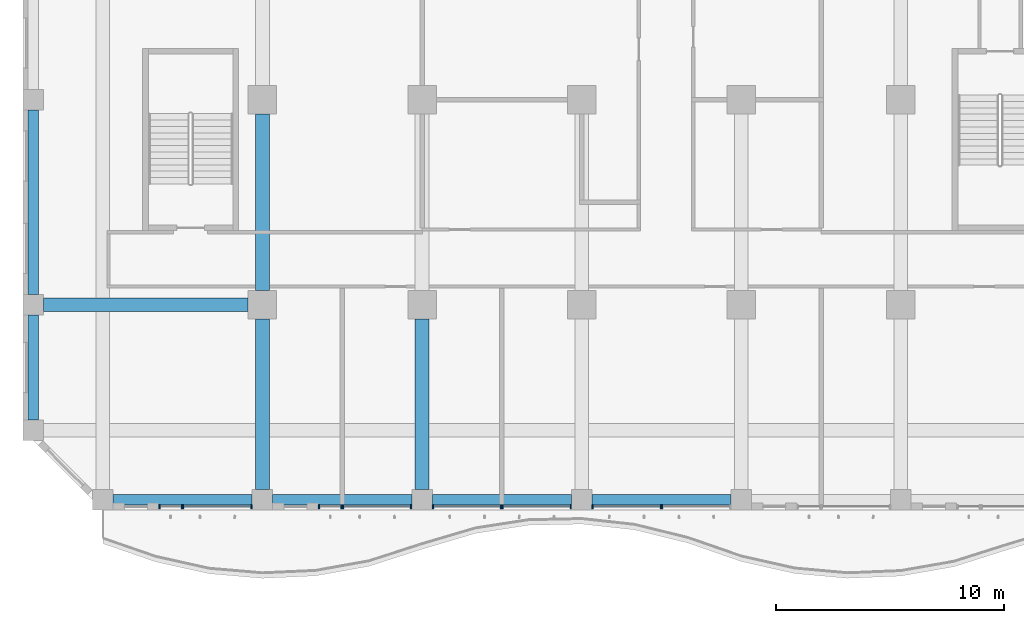
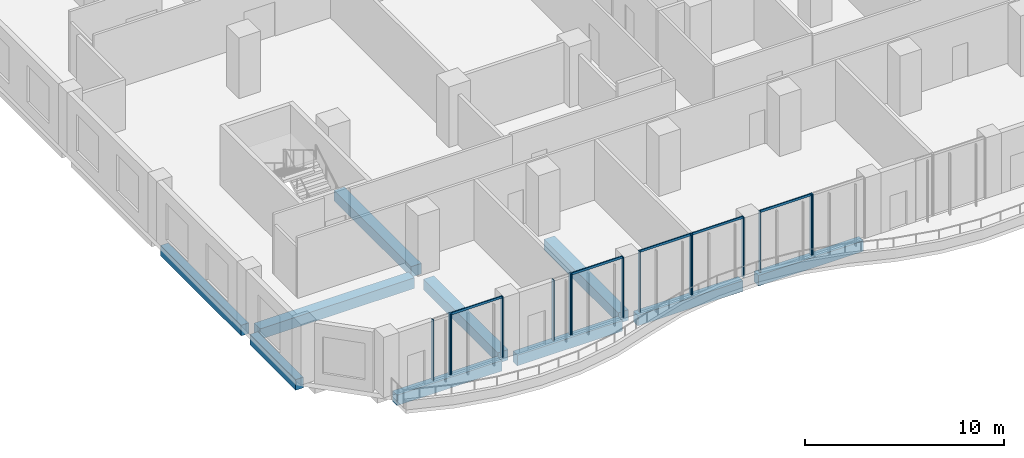
# One storey, part 2 of 28: 20 members, 10 beams, 8 elements without a shape of their own.
"""IFC4 building model written with IfcOpenShell, lengths in metres."""

from ifc_helpers import new_model, si_unit, direction, frame, origin, origin_2d, place, context, subcontext, project, spatial, rectangle, extrude, source, transform, mapped, material, material_profile, profile_set, type_object, element, aggregate, save


model = new_model("IFC4")

# Units and contexts
model_context = context("Model", 3, precision=1e-05, world=origin(), true_north=direction((0.0, 1.0)))
body_context = subcontext(model_context, "Body", "Model", "MODEL_VIEW")
ifc_project = project(units=[si_unit("LENGTHUNIT", "METRE"), si_unit("AREAUNIT", "SQUARE_METRE"), si_unit("VOLUMEUNIT", "CUBIC_METRE"), si_unit("PLANEANGLEUNIT", "RADIAN"), si_unit("MASSUNIT", "GRAM", prefix="KILO")], contexts=[model_context])

# Site, building, storey
site_placement = place(None, origin())
site = spatial("IfcSite", under=ifc_project, at=site_placement, CompositionType="ELEMENT")
building_placement = place(site_placement, origin())
building = spatial("IfcBuilding", under=site, at=building_placement, Name="Kilnfold Tower and Market Hall", CompositionType="ELEMENT")
storey_placement = place(building_placement, frame((0.0, 0.0, 75.199951171875)))
storey = spatial("IfcBuildingStorey", under=building, at=storey_placement, Name="L17", CompositionType="ELEMENT", Elevation=75.199951171875)

# Beams
ifc_material_1 = material(Name="Concrete C45", Category="concrete")
ifc_material_profile_1 = material_profile(ifc_material_1, rectangle(XDim=0.449951171875, YDim=0.64990234375, at=origin_2d()), Name="RC 450x650")
ifc_profile_set_1 = profile_set([ifc_material_profile_1], Name="Concrete C45")
beam_type_1 = type_object("IfcBeamType", Name="EDGE BEAM 450X650 C45", PredefinedType="BEAM", material=ifc_profile_set_1)
shared_shape_1 = source(origin(), body_context, "Body", "SweptSolid", [
    extrude(rectangle(XDim=0.449951171875, YDim=0.64990234375, at=origin_2d()), origin(), (0.0, 0.0, 1.0), 6.10009765625),
])
for number, where, z_axis, x_axis, name in (
    (1, (-19.050048828125, -27.550048828125, -0.60498046875), (1.0, 0.0, 0.0), (0.0, 1.0, 0.0), "Beam EB650-B2.60"),
    (2, (-12.050048828125, -27.550048828125, -0.60498046875), (1.0, 0.0, 0.0), (0.0, 1.0, 0.0), "Beam EB650-B2.61"),
    (3, (-5.050048828125, -27.550048828125, -0.60498046875), (1.0, 0.0, 0.0), (0.0, 1.0, 0.0), "Beam EB650-B2.62"),
    (4, (1.949951171875, -27.550048828125, -0.60498046875), (1.0, 0.0, 0.0), (0.0, 1.0, 0.0), "Beam EB650-B2.63"),
):
    element("IfcBeam", number, at=place(storey_placement, frame(where, z_axis=z_axis, x_axis=x_axis)), inside=storey, type_object=beam_type_1, Name=name, PredefinedType="BEAM", context=body_context, shape_type="MappedRepresentation", body=[
        mapped(shared_shape_1, transform((0.0, 0.0, 0.0))),
    ])
shared_shape_2 = source(origin(), body_context, "Body", "SweptSolid", [
    extrude(rectangle(XDim=0.449951171875, YDim=0.64990234375, at=origin_2d()), origin(), (0.0, 0.0, 1.0), 4.60009765625),
])
beam_1_placement = place(storey_placement, frame((-22.550048828125, -24.050048828125, -0.60498046875), z_axis=(0.0, 1.0, 0.0), x_axis=(-1.0, 0.0, 0.0)))
element("IfcBeam", 5, at=beam_1_placement, inside=storey, type_object=beam_type_1, Name="Beam EB650-B2.37", PredefinedType="BEAM", context=body_context, shape_type="MappedRepresentation", body=[
    mapped(shared_shape_2, transform((0.0, 0.0, 0.0))),
])
shared_shape_3 = source(origin(), body_context, "Body", "SweptSolid", [
    extrude(rectangle(XDim=0.449951171875, YDim=0.64990234375, at=origin_2d()), origin(), (0.0, 0.0, 1.0), 8.10009765625),
])
beam_2_placement = place(storey_placement, frame((-22.550048828125, -18.550048828125, -0.60498046875), z_axis=(0.0, 1.0, 0.0), x_axis=(-1.0, 0.0, 0.0)))
element("IfcBeam", 6, at=beam_2_placement, inside=storey, type_object=beam_type_1, Name="Beam EB650-B2.38", PredefinedType="BEAM", context=body_context, shape_type="MappedRepresentation", body=[
    mapped(shared_shape_3, transform((0.0, 0.0, 0.0))),
])
ifc_material_2 = material(Name="Concrete C45", Category="concrete")
ifc_material_profile_2 = material_profile(ifc_material_2, rectangle(XDim=0.60009765625, YDim=0.64990234375, at=origin_2d()), Name="RC 600x650")
ifc_profile_set_2 = profile_set([ifc_material_profile_2], Name="Concrete C45")
beam_type_2 = type_object("IfcBeamType", Name="BEAM 600X650 C45", PredefinedType="BEAM", material=ifc_profile_set_2)
shared_shape_4 = source(origin(), body_context, "Body", "SweptSolid", [
    extrude(rectangle(XDim=0.60009765625, YDim=0.64990234375, at=origin_2d()), origin(), (0.0, 0.0, 1.0), 8.97509765625),
])
beam_3_placement = place(storey_placement, frame((-22.10009765625, -19.0, -0.60498046875), z_axis=(1.0, 0.0, 0.0), x_axis=(0.0, 1.0, 0.0)))
element("IfcBeam", 7, at=beam_3_placement, inside=storey, type_object=beam_type_2, Name="Beam BB650-B2.68", PredefinedType="BEAM", context=body_context, shape_type="MappedRepresentation", body=[
    mapped(shared_shape_4, transform((0.0, 0.0, 0.0))),
])
shared_shape_5 = source(origin(), body_context, "Body", "SweptSolid", [
    extrude(rectangle(XDim=0.60009765625, YDim=0.64990234375, at=origin_2d()), origin(), (0.0, 0.0, 1.0), 7.47509765625),
])
for number, where, z_axis, x_axis, name in (
    (8, (-12.5, -27.10009765625, -0.60498046875), (0.0, 1.0, 0.0), (-1.0, 0.0, 0.0), "Beam BB650-B2.82"),
    (9, (-5.5, -27.10009765625, -0.60498046875), (0.0, 1.0, 0.0), (-1.0, 0.0, 0.0), "Beam BB650-B2.85"),
):
    element("IfcBeam", number, at=place(storey_placement, frame(where, z_axis=z_axis, x_axis=x_axis)), inside=storey, type_object=beam_type_2, Name=name, PredefinedType="BEAM", context=body_context, shape_type="MappedRepresentation", body=[
        mapped(shared_shape_5, transform((0.0, 0.0, 0.0))),
    ])
shared_shape_6 = source(origin(), body_context, "Body", "SweptSolid", [
    extrude(rectangle(XDim=0.60009765625, YDim=0.64990234375, at=origin_2d()), origin(), (0.0, 0.0, 1.0), 7.75),
])
beam_4_placement = place(storey_placement, frame((-12.5, -18.375, -0.60498046875), z_axis=(0.0, 1.0, 0.0), x_axis=(-1.0, 0.0, 0.0)))
element("IfcBeam", 10, at=beam_4_placement, inside=storey, type_object=beam_type_2, Name="Beam BB650-B2.83", PredefinedType="BEAM", context=body_context, shape_type="MappedRepresentation", body=[
    mapped(shared_shape_6, transform((0.0, 0.0, 0.0))),
])

# Curtain wall, members
ifc_material_3 = material(Name="Aluminium and double glazing", Category="aluminium")
curtain_wall_type = type_object("IfcCurtainWallType", Name="CW OF1 VALLEY GLAZING", PredefinedType="NOTDEFINED", material=ifc_material_3)
curtain_wall_1_placement = place(storey_placement, origin())
curtain_wall_1 = element("IfcCurtainWall", 11, at=curtain_wall_1_placement, inside=storey, type_object=curtain_wall_type, Name="Curtain wall CW1 L17 S", PredefinedType="NOTDEFINED")
ifc_material_4 = material(Name="Aluminium", Category="aluminium")
ifc_material_profile_3 = material_profile(ifc_material_4, rectangle(XDim=0.06005859375, YDim=0.179931640625, at=origin_2d()), Name="MULLION 60x180")
ifc_profile_set_3 = profile_set([ifc_material_profile_3], Name="Aluminium")
member_type_1 = type_object("IfcMemberType", Name="MULLION 60X180", PredefinedType="MULLION", material=ifc_profile_set_3)
shared_shape_7 = source(origin(), body_context, "Body", "SweptSolid", [
    extrude(rectangle(XDim=0.06005859375, YDim=0.179931640625, at=origin_2d()), origin(), (0.0, 0.0, 1.0), 3.719970703125),
])
member_1_placement = place(storey_placement, frame((-17.02001953125, -27.85009765625, 0.0), z_axis=(0.0, 0.0, 1.0), x_axis=(1.0, 0.0, 0.0)))
member_1 = element("IfcMember", 12, at=member_1_placement, type_object=member_type_1, Name="CW1 mullion 1", PredefinedType="MULLION", context=body_context, shape_type="MappedRepresentation", body=[
    mapped(shared_shape_7, transform((0.0, 0.0, 0.0))),
])
member_2_placement = place(storey_placement, frame((-16.030029296875, -27.85009765625, 0.0), z_axis=(0.0, 0.0, 1.0), x_axis=(1.0, 0.0, 0.0)))
member_2 = element("IfcMember", 13, at=member_2_placement, type_object=member_type_1, Name="CW1 mullion 2", PredefinedType="MULLION", context=body_context, shape_type="MappedRepresentation", body=[
    mapped(shared_shape_7, transform((0.0, 0.0, 0.0))),
])
aggregate(curtain_wall_1, [member_1, member_2])

curtain_wall_2_placement = place(storey_placement, origin())
curtain_wall_2 = element("IfcCurtainWall", 14, at=curtain_wall_2_placement, inside=storey, type_object=curtain_wall_type, Name="Curtain wall CW1 L17 S", PredefinedType="NOTDEFINED")
member_3_placement = place(storey_placement, frame((-15.969970703125, -27.85009765625, 0.0), z_axis=(0.0, 0.0, 1.0), x_axis=(1.0, 0.0, 0.0)))
member_3 = element("IfcMember", 15, at=member_3_placement, type_object=member_type_1, Name="CW1 mullion 1", PredefinedType="MULLION", context=body_context, shape_type="MappedRepresentation", body=[
    mapped(shared_shape_7, transform((0.0, 0.0, 0.0))),
])
member_4_placement = place(storey_placement, frame((-12.97998046875, -27.85009765625, 0.0), z_axis=(0.0, 0.0, 1.0), x_axis=(1.0, 0.0, 0.0)))
member_4 = element("IfcMember", 16, at=member_4_placement, type_object=member_type_1, Name="CW1 mullion 2", PredefinedType="MULLION", context=body_context, shape_type="MappedRepresentation", body=[
    mapped(shared_shape_7, transform((0.0, 0.0, 0.0))),
])

curtain_wall_3_placement = place(storey_placement, origin())
curtain_wall_3 = element("IfcCurtainWall", 17, at=curtain_wall_3_placement, inside=storey, type_object=curtain_wall_type, Name="Curtain wall CW1 L17 S", PredefinedType="NOTDEFINED")
member_5_placement = place(storey_placement, frame((-10.02001953125, -27.85009765625, 0.0), z_axis=(0.0, 0.0, 1.0), x_axis=(1.0, 0.0, 0.0)))
member_5 = element("IfcMember", 18, at=member_5_placement, type_object=member_type_1, Name="CW1 mullion 1", PredefinedType="MULLION", context=body_context, shape_type="MappedRepresentation", body=[
    mapped(shared_shape_7, transform((0.0, 0.0, 0.0))),
])
member_6_placement = place(storey_placement, frame((-9.030029296875, -27.85009765625, 0.0), z_axis=(0.0, 0.0, 1.0), x_axis=(1.0, 0.0, 0.0)))
member_6 = element("IfcMember", 19, at=member_6_placement, type_object=member_type_1, Name="CW1 mullion 2", PredefinedType="MULLION", context=body_context, shape_type="MappedRepresentation", body=[
    mapped(shared_shape_7, transform((0.0, 0.0, 0.0))),
])
aggregate(curtain_wall_3, [member_5, member_6])

curtain_wall_4_placement = place(storey_placement, origin())
curtain_wall_4 = element("IfcCurtainWall", 20, at=curtain_wall_4_placement, inside=storey, type_object=curtain_wall_type, Name="Curtain wall CW1 L17 S", PredefinedType="NOTDEFINED")
member_7_placement = place(storey_placement, frame((-8.969970703125, -27.85009765625, 0.0), z_axis=(0.0, 0.0, 1.0), x_axis=(1.0, 0.0, 0.0)))
member_7 = element("IfcMember", 21, at=member_7_placement, type_object=member_type_1, Name="CW1 mullion 1", PredefinedType="MULLION", context=body_context, shape_type="MappedRepresentation", body=[
    mapped(shared_shape_7, transform((0.0, 0.0, 0.0))),
])
member_8_placement = place(storey_placement, frame((-5.97998046875, -27.85009765625, 0.0), z_axis=(0.0, 0.0, 1.0), x_axis=(1.0, 0.0, 0.0)))
member_8 = element("IfcMember", 22, at=member_8_placement, type_object=member_type_1, Name="CW1 mullion 2", PredefinedType="MULLION", context=body_context, shape_type="MappedRepresentation", body=[
    mapped(shared_shape_7, transform((0.0, 0.0, 0.0))),
])

curtain_wall_5_placement = place(storey_placement, origin())
curtain_wall_5 = element("IfcCurtainWall", 23, at=curtain_wall_5_placement, inside=storey, type_object=curtain_wall_type, Name="Curtain wall CW1 L17 S", PredefinedType="NOTDEFINED")
member_9_placement = place(storey_placement, frame((-5.02001953125, -27.85009765625, 0.0), z_axis=(0.0, 0.0, 1.0), x_axis=(1.0, 0.0, 0.0)))
member_9 = element("IfcMember", 24, at=member_9_placement, type_object=member_type_1, Name="CW1 mullion 1", PredefinedType="MULLION", context=body_context, shape_type="MappedRepresentation", body=[
    mapped(shared_shape_7, transform((0.0, 0.0, 0.0))),
])
member_10_placement = place(storey_placement, frame((-2.030029296875, -27.85009765625, 0.0), z_axis=(0.0, 0.0, 1.0), x_axis=(1.0, 0.0, 0.0)))
member_10 = element("IfcMember", 25, at=member_10_placement, type_object=member_type_1, Name="CW1 mullion 2", PredefinedType="MULLION", context=body_context, shape_type="MappedRepresentation", body=[
    mapped(shared_shape_7, transform((0.0, 0.0, 0.0))),
])

curtain_wall_6_placement = place(storey_placement, origin())
curtain_wall_6 = element("IfcCurtainWall", 26, at=curtain_wall_6_placement, inside=storey, type_object=curtain_wall_type, Name="Curtain wall CW1 L17 S", PredefinedType="NOTDEFINED")
member_11_placement = place(storey_placement, frame((-1.969970703125, -27.85009765625, 0.0), z_axis=(0.0, 0.0, 1.0), x_axis=(1.0, 0.0, 0.0)))
member_11 = element("IfcMember", 27, at=member_11_placement, type_object=member_type_1, Name="CW1 mullion 1", PredefinedType="MULLION", context=body_context, shape_type="MappedRepresentation", body=[
    mapped(shared_shape_7, transform((0.0, 0.0, 0.0))),
])
member_12_placement = place(storey_placement, frame((1.02001953125, -27.85009765625, 0.0), z_axis=(0.0, 0.0, 1.0), x_axis=(1.0, 0.0, 0.0)))
member_12 = element("IfcMember", 28, at=member_12_placement, type_object=member_type_1, Name="CW1 mullion 2", PredefinedType="MULLION", context=body_context, shape_type="MappedRepresentation", body=[
    mapped(shared_shape_7, transform((0.0, 0.0, 0.0))),
])

curtain_wall_7_placement = place(storey_placement, origin())
curtain_wall_7 = element("IfcCurtainWall", 29, at=curtain_wall_7_placement, inside=storey, type_object=curtain_wall_type, Name="Curtain wall CW1 L17 S", PredefinedType="NOTDEFINED")
member_13_placement = place(storey_placement, frame((1.97998046875, -27.85009765625, 0.0), z_axis=(0.0, 0.0, 1.0), x_axis=(1.0, 0.0, 0.0)))
member_13 = element("IfcMember", 30, at=member_13_placement, type_object=member_type_1, Name="CW1 mullion 1", PredefinedType="MULLION", context=body_context, shape_type="MappedRepresentation", body=[
    mapped(shared_shape_7, transform((0.0, 0.0, 0.0))),
])
member_14_placement = place(storey_placement, frame((4.969970703125, -27.85009765625, 0.0), z_axis=(0.0, 0.0, 1.0), x_axis=(1.0, 0.0, 0.0)))
member_14 = element("IfcMember", 31, at=member_14_placement, type_object=member_type_1, Name="CW1 mullion 2", PredefinedType="MULLION", context=body_context, shape_type="MappedRepresentation", body=[
    mapped(shared_shape_7, transform((0.0, 0.0, 0.0))),
])

# Curtain wall, member
curtain_wall_8_placement = place(storey_placement, origin())
curtain_wall_8 = element("IfcCurtainWall", 32, at=curtain_wall_8_placement, inside=storey, type_object=curtain_wall_type, Name="Curtain wall CW1 L17 S", PredefinedType="NOTDEFINED")
member_15_placement = place(storey_placement, frame((5.030029296875, -27.85009765625, 0.0), z_axis=(0.0, 0.0, 1.0), x_axis=(1.0, 0.0, 0.0)))
member_15 = element("IfcMember", 33, at=member_15_placement, type_object=member_type_1, Name="CW1 mullion 1", PredefinedType="MULLION", context=body_context, shape_type="MappedRepresentation", body=[
    mapped(shared_shape_7, transform((0.0, 0.0, 0.0))),
])
aggregate(curtain_wall_8, [member_15])

# Member
ifc_material_5 = material(Name="Aluminium", Category="aluminium")
ifc_material_profile_4 = material_profile(ifc_material_5, rectangle(XDim=0.06005859375, YDim=0.139892578125, at=origin_2d()), Name="TRANSOM 60x140")
ifc_profile_set_4 = profile_set([ifc_material_profile_4], Name="Aluminium")
member_type_2 = type_object("IfcMemberType", Name="TRANSOM 60X140", PredefinedType="USERDEFINED", material=ifc_profile_set_4)
shared_shape_8 = source(origin(), body_context, "Body", "SweptSolid", [
    extrude(rectangle(XDim=0.06005859375, YDim=0.139892578125, at=origin_2d()), origin(), (0.0, 0.0, 1.0), 2.929931640625),
])
member_16_placement = place(storey_placement, frame((-15.93994140625, -27.85009765625, 3.68994140625), z_axis=(1.0, 0.0, 0.0), x_axis=(0.0, 1.0, 0.0)))
member_16 = element("IfcMember", 34, at=member_16_placement, type_object=member_type_2, Name="CW1 transom 1.2", ObjectType="TRANSOM", PredefinedType="USERDEFINED", context=body_context, shape_type="MappedRepresentation", body=[
    mapped(shared_shape_8, transform((0.0, 0.0, 0.0))),
])

aggregate(curtain_wall_2, [member_3, member_4, member_16])

member_17_placement = place(storey_placement, frame((-8.93994140625, -27.85009765625, 3.68994140625), z_axis=(1.0, 0.0, 0.0), x_axis=(0.0, 1.0, 0.0)))
member_17 = element("IfcMember", 35, at=member_17_placement, type_object=member_type_2, Name="CW1 transom 1.2", ObjectType="TRANSOM", PredefinedType="USERDEFINED", context=body_context, shape_type="MappedRepresentation", body=[
    mapped(shared_shape_8, transform((0.0, 0.0, 0.0))),
])

aggregate(curtain_wall_4, [member_7, member_8, member_17])

member_18_placement = place(storey_placement, frame((-4.989990234375, -27.85009765625, 3.68994140625), z_axis=(1.0, 0.0, 0.0), x_axis=(0.0, 1.0, 0.0)))
member_18 = element("IfcMember", 36, at=member_18_placement, type_object=member_type_2, Name="CW1 transom 1.2", ObjectType="TRANSOM", PredefinedType="USERDEFINED", context=body_context, shape_type="MappedRepresentation", body=[
    mapped(shared_shape_8, transform((0.0, 0.0, 0.0))),
])

aggregate(curtain_wall_5, [member_9, member_10, member_18])

member_19_placement = place(storey_placement, frame((-1.93994140625, -27.85009765625, 3.68994140625), z_axis=(1.0, 0.0, 0.0), x_axis=(0.0, 1.0, 0.0)))
member_19 = element("IfcMember", 37, at=member_19_placement, type_object=member_type_2, Name="CW1 transom 1.2", ObjectType="TRANSOM", PredefinedType="USERDEFINED", context=body_context, shape_type="MappedRepresentation", body=[
    mapped(shared_shape_8, transform((0.0, 0.0, 0.0))),
])

aggregate(curtain_wall_6, [member_11, member_12, member_19])

member_20_placement = place(storey_placement, frame((2.010009765625, -27.85009765625, 3.68994140625), z_axis=(1.0, 0.0, 0.0), x_axis=(0.0, 1.0, 0.0)))
member_20 = element("IfcMember", 38, at=member_20_placement, type_object=member_type_2, Name="CW1 transom 1.2", ObjectType="TRANSOM", PredefinedType="USERDEFINED", context=body_context, shape_type="MappedRepresentation", body=[
    mapped(shared_shape_8, transform((0.0, 0.0, 0.0))),
])

aggregate(curtain_wall_7, [member_13, member_14, member_20])

save(model, "model.ifc")
